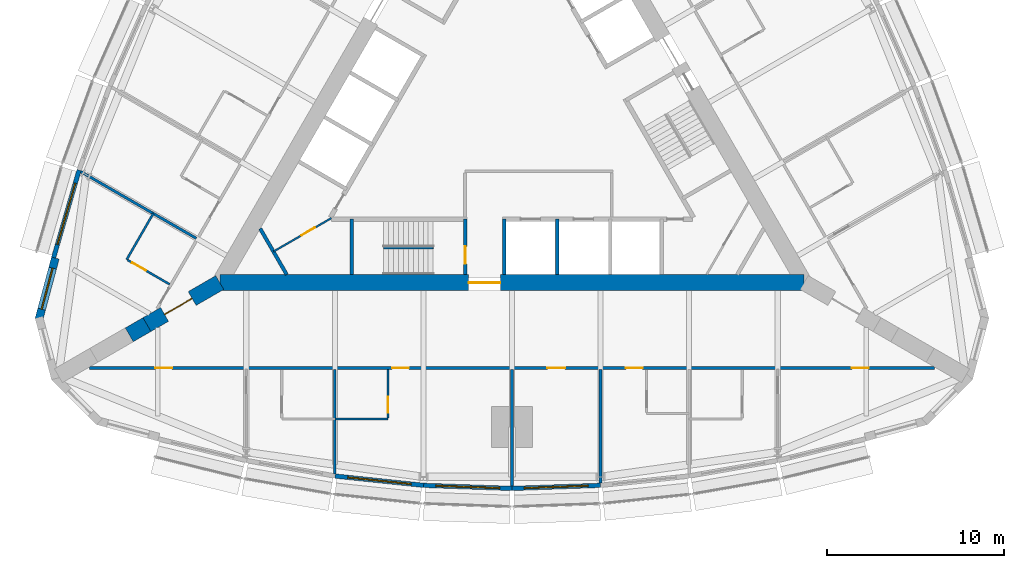
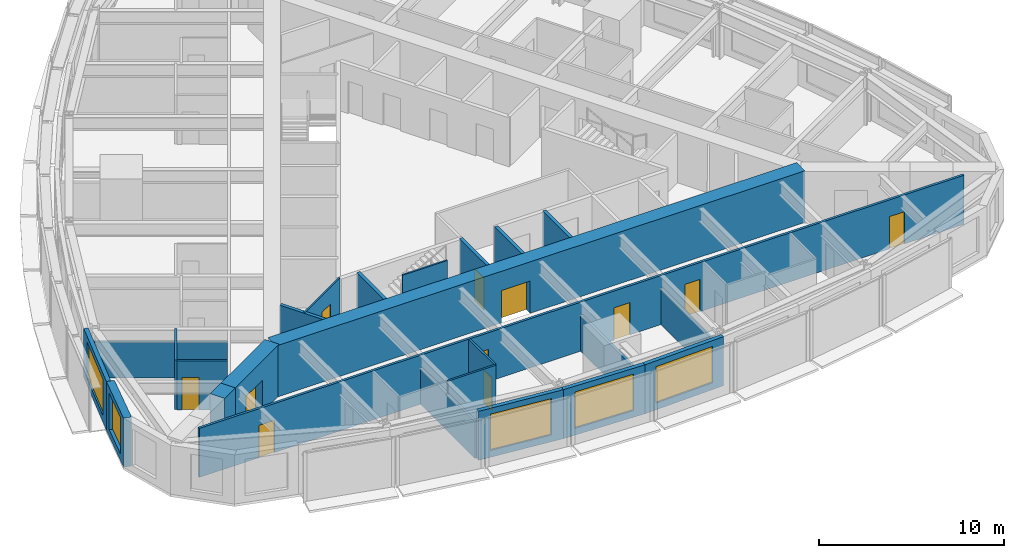
# One storey, part 8 of 14: 24 walls, 11 doors, 5 windows, 16 openings.
"""IFC4 building model written with IfcOpenShell, lengths in metres."""

from ifc_helpers import new_model, si_unit, direction, frame, frame_2d, origin, place, context, subcontext, project, spatial, rectangle, extrude, material, layer, layer_set, type_object, element, fill, save


model = new_model("IFC4")

# Units and contexts
model_context = context("Model", 3, precision=1e-05, world=origin(), true_north=direction((0.0, 1.0)))
body_context = subcontext(model_context, "Body", "Model", "MODEL_VIEW")
ifc_project = project(units=[si_unit("LENGTHUNIT", "METRE"), si_unit("AREAUNIT", "SQUARE_METRE"), si_unit("VOLUMEUNIT", "CUBIC_METRE"), si_unit("PLANEANGLEUNIT", "RADIAN"), si_unit("MASSUNIT", "GRAM", prefix="KILO")], contexts=[model_context])

# Site, building, storey
site_placement = place(None, origin())
site = spatial("IfcSite", under=ifc_project, at=site_placement, CompositionType="ELEMENT")
building_placement = place(site_placement, origin())
building = spatial("IfcBuilding", under=site, at=building_placement, Name="Trikona Tower", CompositionType="ELEMENT")
storey_placement = place(building_placement, frame((0.0, 0.0, 162.300048828125)))
storey = spatial("IfcBuildingStorey", under=building, at=storey_placement, Name="L43", CompositionType="ELEMENT", Elevation=162.300048828125)

# Wall
ifc_material_1 = material(Name="Metal stud and cement board", Category="gypsum")
ifc_layer_1 = layer(ifc_material_1, 0.1201171875)
ifc_layer_set_1 = layer_set([ifc_layer_1], Name="Bathroom wall 120")
wall_type_1 = type_object("IfcWallType", Name="Bathroom wall 120", PredefinedType="PLUMBINGWALL", material=ifc_layer_set_1)
wall_1_placement = place(storey_placement, frame((-10.0, -17.226318359375, 0.0), z_axis=(0.0, 0.0, 1.0), x_axis=(1.0, 0.0, 0.0)))
element("IfcWall", 1, at=wall_1_placement, inside=storey, type_object=wall_type_1, Name="Bathroom wall 4302", PredefinedType="PLUMBINGWALL", context=body_context, shape_type="SweptSolid", body=[
    extrude(rectangle(XDim=3.0, YDim=0.1201171875, at=frame_2d((1.5, 0.0))), origin(), (0.0, 0.0, 1.0), 3.23486328125),
])

# Wall, opening, door
wall_2_placement = place(storey_placement, frame((-7.0, -14.42626953125, 0.0), z_axis=(0.0, 0.0, 1.0), x_axis=(0.0, -1.0, 0.0)))
wall_2 = element("IfcWall", 2, at=wall_2_placement, inside=storey, type_object=wall_type_1, Name="Bathroom wall 4302", PredefinedType="PLUMBINGWALL", context=body_context, shape_type="SweptSolid", body=[
    extrude(rectangle(XDim=2.739990234375, YDim=0.1201171875, at=frame_2d((1.3701171875, 0.0))), origin(), (0.0, 0.0, 1.0), 3.23486328125),
])
opening_1_placement = place(wall_2_placement, frame((1.550048828125, 0.0, 0.0)))
opening_1 = element("IfcOpeningElement", 3, at=opening_1_placement, cuts=wall_2, Name="Opening D2", PredefinedType="OPENING", context=body_context, shape_type="SweptSolid", body=[
    extrude(rectangle(XDim=0.89990234375, YDim=2.1298828125, at=frame_2d((0.449951171875, 1.06494140625))), frame((0.0, 0.070068359375, 0.0), z_axis=(0.0, -1.0, 0.0), x_axis=(1.0, 0.0, 0.0)), (0.0, 0.0, 1.0), 0.14013671875),
])
ifc_material_2 = material(Name="Steel door frame with solid-core timber leaf", Category="steel")
door_type_1 = type_object("IfcDoorType", Name="Bathroom door 900x2130", OperationType="SLIDING_TO_LEFT", PredefinedType="DOOR", material=ifc_material_2)
door_1_placement = place(opening_1_placement, origin())
door_1 = element("IfcDoor", 4, at=door_1_placement, inside=storey, type_object=door_type_1, Name="Bathroom door 4302", OperationType="SLIDING_TO_LEFT", OverallHeight=2.1298828125, OverallWidth=0.89990234375, PredefinedType="DOOR", context=body_context, shape_type="SweptSolid", body=[
    extrude(rectangle(XDim=0.89990234375, YDim=2.1298828125, at=frame_2d((0.449951171875, 1.06494140625))), frame((0.0, 0.02490234375, 0.0), z_axis=(0.0, -1.0, 0.0), x_axis=(1.0, 0.0, 0.0)), (0.0, 0.0, 1.0), 0.050048828125),
])
fill(opening_1, door_1)

# Wall
wall_3_placement = place(storey_placement, frame((-20.25341796875, -5.627197265625, 0.0), z_axis=(0.0, 0.0, 1.0), x_axis=(-0.499990139034, -0.866031096941, 0.0)))
element("IfcWall", 5, at=wall_3_placement, inside=storey, type_object=wall_type_1, Name="Bathroom wall 4315", PredefinedType="PLUMBINGWALL", context=body_context, shape_type="SweptSolid", body=[
    extrude(rectangle(XDim=3.0, YDim=0.1201171875, at=frame_2d((1.5, 0.0))), origin(), (0.0, 0.0, 1.0), 3.23486328125),
])

# Wall, opening, door
wall_4_placement = place(storey_placement, frame((-19.32861328125, -9.625244140625, 0.0), z_axis=(0.0, 0.0, 1.0), x_axis=(-0.866035715982, 0.499982138324, 0.0)))
wall_4 = element("IfcWall", 6, at=wall_4_placement, inside=storey, type_object=wall_type_1, Name="Bathroom wall 4315", PredefinedType="PLUMBINGWALL", context=body_context, shape_type="SweptSolid", body=[
    extrude(rectangle(XDim=2.73974609375, YDim=0.1201171875, at=frame_2d((1.369873046875, 0.0))), origin(), (0.0, 0.0, 1.0), 3.23486328125),
])
opening_2_placement = place(wall_4_placement, frame((1.550048828125, 0.0, 0.0)))
opening_2 = element("IfcOpeningElement", 7, at=opening_2_placement, cuts=wall_4, Name="Opening D2", PredefinedType="OPENING", context=body_context, shape_type="SweptSolid", body=[
    extrude(rectangle(XDim=0.89990234375, YDim=2.1298828125, at=frame_2d((0.449951171875, 1.06494140625))), frame((0.0, 0.070068359375, 0.0), z_axis=(0.0, -1.0, 0.0), x_axis=(1.0, 0.0, 0.0)), (0.0, 0.0, 1.0), 0.14013671875),
])
door_2_placement = place(opening_2_placement, origin())
door_2 = element("IfcDoor", 8, at=door_2_placement, inside=storey, type_object=door_type_1, Name="Bathroom door 4315", OperationType="SLIDING_TO_LEFT", OverallHeight=2.1298828125, OverallWidth=0.89990234375, PredefinedType="DOOR", context=body_context, shape_type="SweptSolid", body=[
    extrude(rectangle(XDim=0.89990234375, YDim=2.1298828125, at=frame_2d((0.449951171875, 1.06494140625))), frame((0.0, 0.02490234375, 0.0), z_axis=(0.0, -1.0, 0.0), x_axis=(1.0, 0.0, 0.0)), (0.0, 0.0, 1.0), 0.050048828125),
])
fill(opening_2, door_2)

# Wall, opening, window
ifc_material_3 = material(Name="Brick-faced precast concrete", Category="masonry")
ifc_layer_2 = layer(ifc_material_3, 0.449951171875)
ifc_layer_set_2 = layer_set([ifc_layer_2], Name="Brick-faced corner wall 450")
wall_type_2 = type_object("IfcWallType", Name="Brick-faced corner wall 450", PredefinedType="SOLIDWALL", material=ifc_layer_set_2)
wall_5_placement = place(storey_placement, frame((-25.78271484375, -8.14111328125, 0.0), z_axis=(0.0, 0.0, 1.0), x_axis=(-0.258823421857, -0.965924653531, 0.0)))
wall_5 = element("IfcWall", 9, at=wall_5_placement, inside=storey, type_object=wall_type_2, Name="External wall L43-32", PredefinedType="SOLIDWALL", context=body_context, shape_type="SweptSolid", body=[
    extrude(rectangle(XDim=3.58642578125, YDim=0.449951171875, at=frame_2d((1.793212890625, 0.0))), origin(), (0.0, 0.0, 1.0), 3.23486328125),
])
opening_3_placement = place(wall_5_placement, frame((0.593017578125, 0.0, 0.449951171875)))
opening_3 = element("IfcOpeningElement", 10, at=opening_3_placement, cuts=wall_5, Name="Opening W2424", PredefinedType="OPENING", context=body_context, shape_type="SweptSolid", body=[
    extrude(rectangle(XDim=2.39990234375, YDim=2.39990234375, at=frame_2d((1.199951171875, 1.199951171875))), frame((0.0, 0.23486328125, 0.0), z_axis=(0.0, -1.0, 0.0), x_axis=(1.0, 0.0, 0.0)), (0.0, 0.0, 1.0), 0.469970703125),
])
ifc_material_4 = material(Name="Aluminium-framed double glazing", Category="aluminium")
window_type_1 = type_object("IfcWindowType", Name="Window 2400x2400", PartitioningType="SINGLE_PANEL", PredefinedType="WINDOW", material=ifc_material_4)
window_1_placement = place(opening_3_placement, origin())
window_1 = element("IfcWindow", 11, at=window_1_placement, inside=storey, type_object=window_type_1, Name="Window 4315", OverallHeight=2.39990234375, OverallWidth=2.39990234375, PartitioningType="SINGLE_PANEL", PredefinedType="WINDOW", context=body_context, shape_type="SweptSolid", body=[
    extrude(rectangle(XDim=2.39990234375, YDim=2.39990234375, at=frame_2d((1.199951171875, 1.199951171875))), frame((0.0, 0.030029296875, 0.0), z_axis=(0.0, -1.0, 0.0), x_axis=(1.0, 0.0, 0.0)), (0.0, 0.0, 1.0), 0.06005859375),
])
fill(opening_3, window_1)

# Wall, opening, door
ifc_material_5 = material(Name="Concrete f'c 10000 psi", Category="concrete")
ifc_layer_3 = layer(ifc_material_5, 0.89990234375)
ifc_layer_set_3 = layer_set([ifc_layer_3], Name="Buttress wall 900")
wall_type_3 = type_object("IfcWallType", Name="Buttress wall 900", PredefinedType="SHEAR", material=ifc_layer_set_3)
wall_6_placement = place(storey_placement, frame((-16.5, -9.5263671875, 0.0), z_axis=(0.0, 0.0, 1.0), x_axis=(-0.866031398331, -0.499989616998, 0.0)))
wall_6 = element("IfcWall", 12, at=wall_6_placement, inside=storey, type_object=wall_type_3, Name="Buttress wall 3", PredefinedType="SHEAR", context=body_context, shape_type="SweptSolid", body=[
    extrude(rectangle(XDim=4.74609375, YDim=0.89990234375, at=frame_2d((2.373046875, 0.0))), origin(), (0.0, 0.0, 1.0), 3.39990234375),
])
opening_4_placement = place(wall_6_placement, frame((1.800048828125, 0.0, 0.0)))
opening_4 = element("IfcOpeningElement", 13, at=opening_4_placement, cuts=wall_6, Name="Opening D10", PredefinedType="OPENING", context=body_context, shape_type="SweptSolid", body=[
    extrude(rectangle(XDim=1.800048828125, YDim=2.1298828125, at=frame_2d((0.89990234375, 1.06494140625))), frame((0.0, 0.4599609375, 0.0), z_axis=(0.0, -1.0, 0.0), x_axis=(1.0, 0.0, 0.0)), (0.0, 0.0, 1.0), 0.919921875),
])
ifc_material_6 = material(Name="Hollow metal door and frame", Category="steel")
door_type_2 = type_object("IfcDoorType", Name="Cross-corridor door pair 1800x2130", OperationType="DOUBLE_DOOR_DOUBLE_SWING", PredefinedType="DOOR", material=ifc_material_6)
door_3_placement = place(opening_4_placement, origin())
door_3 = element("IfcDoor", 14, at=door_3_placement, inside=storey, type_object=door_type_2, Name="Cross-corridor door 3", OperationType="DOUBLE_DOOR_DOUBLE_SWING", OverallHeight=2.1298828125, OverallWidth=1.800048828125, PredefinedType="DOOR", context=body_context, shape_type="SweptSolid", body=[
    extrude(rectangle(XDim=1.800048828125, YDim=2.1298828125, at=frame_2d((0.89990234375, 1.06494140625))), frame((0.0, 0.02490234375, 0.0), z_axis=(0.0, -1.0, 0.0), x_axis=(1.0, 0.0, 0.0)), (0.0, 0.0, 1.0), 0.050048828125),
])
fill(opening_4, door_3)

# Wall
wall_7_placement = place(storey_placement, frame((-20.6103515625, -11.8994140625, 0.0), z_axis=(0.0, 0.0, 1.0), x_axis=(-0.866009537788, -0.500027479704, 0.0)))
element("IfcWall", 15, at=wall_7_placement, inside=storey, type_object=wall_type_3, Name="Buttress wall 3 part 2", PredefinedType="SHEAR", context=body_context, shape_type="SweptSolid", body=[
    extrude(rectangle(XDim=1.15478515625, YDim=0.89990234375, at=frame_2d((0.577392578125, 0.0))), origin(), (0.0, 0.0, 1.0), 3.39990234375),
])

# Wall, opening, door
ifc_material_7 = material(Name="Concrete f'c 10000 psi", Category="concrete")
ifc_layer_4 = layer(ifc_material_7, 0.89990234375)
ifc_layer_set_4 = layer_set([ifc_layer_4], Name="Core wall 900")
wall_type_4 = type_object("IfcWallType", Name="Core wall 900", PredefinedType="SHEAR", material=ifc_layer_set_4)
wall_8_placement = place(storey_placement, frame((-16.5, -9.5263671875, 0.0), z_axis=(0.0, 0.0, 1.0), x_axis=(1.0, 0.0, 0.0)))
wall_8 = element("IfcWall", 16, at=wall_8_placement, inside=storey, type_object=wall_type_4, Name="Core wall A", PredefinedType="SHEAR", context=body_context, shape_type="SweptSolid", body=[
    extrude(rectangle(XDim=33.0, YDim=0.89990234375, at=frame_2d((16.5, 0.0))), origin(), (0.0, 0.0, 1.0), 3.39990234375),
])
opening_5_placement = place(wall_8_placement, frame((14.050048828125, 0.0, 0.0)))
opening_5 = element("IfcOpeningElement", 17, at=opening_5_placement, cuts=wall_8, Name="Opening D6", PredefinedType="OPENING", context=body_context, shape_type="SweptSolid", body=[
    extrude(rectangle(XDim=1.800048828125, YDim=2.1298828125, at=frame_2d((0.89990234375, 1.06494140625))), frame((0.0, 0.4599609375, 0.0), z_axis=(0.0, -1.0, 0.0), x_axis=(1.0, 0.0, 0.0)), (0.0, 0.0, 1.0), 0.919921875),
])
ifc_material_8 = material(Name="Hollow metal door and frame", Category="steel")
door_type_3 = type_object("IfcDoorType", Name="Lobby door pair 1800x2130", OperationType="DOUBLE_DOOR_SINGLE_SWING", PredefinedType="DOOR", material=ifc_material_8)
door_4_placement = place(opening_5_placement, origin())
door_4 = element("IfcDoor", 18, at=door_4_placement, inside=storey, type_object=door_type_3, Name="Fire service lift lobby door", OperationType="DOUBLE_DOOR_SINGLE_SWING", OverallHeight=2.1298828125, OverallWidth=1.800048828125, PredefinedType="DOOR", context=body_context, shape_type="SweptSolid", body=[
    extrude(rectangle(XDim=1.800048828125, YDim=2.1298828125, at=frame_2d((0.89990234375, 1.06494140625))), frame((0.0, 0.02490234375, 0.0), z_axis=(0.0, -1.0, 0.0), x_axis=(1.0, 0.0, 0.0)), (0.0, 0.0, 1.0), 0.050048828125),
])
fill(opening_5, door_4)

# Wall, openings, doors
ifc_material_9 = material(Name="Metal stud and gypsum board, 1-hour", Category="gypsum")
ifc_layer_5 = layer(ifc_material_9, 0.14990234375)
ifc_layer_set_5 = layer_set([ifc_layer_5], Name="Corridor wall 150")
wall_type_5 = type_object("IfcWallType", Name="Corridor wall 150", PredefinedType="PARTITIONING", material=ifc_layer_set_5)
wall_9_placement = place(storey_placement, frame((-23.857177734375, -14.351318359375, 0.0), z_axis=(0.0, 0.0, 1.0), x_axis=(1.0, 0.0, 0.0)))
wall_9 = element("IfcWall", 19, at=wall_9_placement, inside=storey, type_object=wall_type_5, Name="Corridor wall L43-1", PredefinedType="PARTITIONING", context=body_context, shape_type="SweptSolid", body=[
    extrude(rectangle(XDim=47.71435546875, YDim=0.14990234375, at=frame_2d((23.857177734375, 0.0))), origin(), (0.0, 0.0, 1.0), 3.23486328125),
])
opening_6_placement = place(wall_9_placement, frame((3.723388671875, 0.0, 0.0)))
opening_6 = element("IfcOpeningElement", 20, at=opening_6_placement, cuts=wall_9, Name="Opening D1", PredefinedType="OPENING", context=body_context, shape_type="SweptSolid", body=[
    extrude(rectangle(XDim=0.949951171875, YDim=2.1298828125, at=frame_2d((0.47509765625, 1.06494140625))), frame((0.0, 0.0849609375, 0.0), z_axis=(0.0, -1.0, 0.0), x_axis=(1.0, 0.0, 0.0)), (0.0, 0.0, 1.0), 0.169921875),
])
opening_7_placement = place(wall_9_placement, frame((17.08203125, 0.0, 0.0)))
opening_7 = element("IfcOpeningElement", 21, at=opening_7_placement, cuts=wall_9, Name="Opening D1", PredefinedType="OPENING", context=body_context, shape_type="SweptSolid", body=[
    extrude(rectangle(XDim=0.949951171875, YDim=2.1298828125, at=frame_2d((0.47509765625, 1.06494140625))), frame((0.0, 0.0849609375, 0.0), z_axis=(0.0, -1.0, 0.0), x_axis=(1.0, 0.0, 0.0)), (0.0, 0.0, 1.0), 0.169921875),
])
opening_8_placement = place(wall_9_placement, frame((25.857177734375, 0.0, 0.0)))
opening_8 = element("IfcOpeningElement", 22, at=opening_8_placement, cuts=wall_9, Name="Opening D3", PredefinedType="OPENING", context=body_context, shape_type="SweptSolid", body=[
    extrude(rectangle(XDim=1.0, YDim=2.1298828125, at=frame_2d((0.5, 1.06494140625))), frame((0.0, 0.0849609375, 0.0), z_axis=(0.0, -1.0, 0.0), x_axis=(1.0, 0.0, 0.0)), (0.0, 0.0, 1.0), 0.169921875),
])
opening_9_placement = place(wall_9_placement, frame((30.281982421875, 0.0, 0.0)))
opening_9 = element("IfcOpeningElement", 23, at=opening_9_placement, cuts=wall_9, Name="Opening D1", PredefinedType="OPENING", context=body_context, shape_type="SweptSolid", body=[
    extrude(rectangle(XDim=0.949951171875, YDim=2.1298828125, at=frame_2d((0.47509765625, 1.06494140625))), frame((0.0, 0.0849609375, 0.0), z_axis=(0.0, -1.0, 0.0), x_axis=(1.0, 0.0, 0.0)), (0.0, 0.0, 1.0), 0.169921875),
])
opening_10_placement = place(wall_9_placement, frame((43.041015625, 0.0, 0.0)))
opening_10 = element("IfcOpeningElement", 24, at=opening_10_placement, cuts=wall_9, Name="Opening D1", PredefinedType="OPENING", context=body_context, shape_type="SweptSolid", body=[
    extrude(rectangle(XDim=0.949951171875, YDim=2.1298828125, at=frame_2d((0.47509765625, 1.06494140625))), frame((0.0, 0.0849609375, 0.0), z_axis=(0.0, -1.0, 0.0), x_axis=(1.0, 0.0, 0.0)), (0.0, 0.0, 1.0), 0.169921875),
])
ifc_material_10 = material(Name="Steel door frame with solid-core timber leaf", Category="steel")
door_type_4 = type_object("IfcDoorType", Name="Guest room door 950x2130", OperationType="SINGLE_SWING_LEFT", PredefinedType="DOOR", material=ifc_material_10)
door_5_placement = place(opening_6_placement, origin())
door_5 = element("IfcDoor", 25, at=door_5_placement, inside=storey, type_object=door_type_4, Name="Room door 4301", OperationType="SINGLE_SWING_LEFT", OverallHeight=2.1298828125, OverallWidth=0.949951171875, PredefinedType="DOOR", context=body_context, shape_type="SweptSolid", body=[
    extrude(rectangle(XDim=0.949951171875, YDim=2.1298828125, at=frame_2d((0.47509765625, 1.06494140625))), frame((0.0, 0.02490234375, 0.0), z_axis=(0.0, -1.0, 0.0), x_axis=(1.0, 0.0, 0.0)), (0.0, 0.0, 1.0), 0.050048828125),
])
fill(opening_6, door_5)
door_6_placement = place(opening_7_placement, origin())
door_6 = element("IfcDoor", 26, at=door_6_placement, inside=storey, type_object=door_type_4, Name="Room door 4302", OperationType="SINGLE_SWING_RIGHT", OverallHeight=2.1298828125, OverallWidth=0.949951171875, PredefinedType="DOOR", context=body_context, shape_type="SweptSolid", body=[
    extrude(rectangle(XDim=0.949951171875, YDim=2.1298828125, at=frame_2d((0.47509765625, 1.06494140625))), frame((0.0, 0.02490234375, 0.0), z_axis=(0.0, -1.0, 0.0), x_axis=(1.0, 0.0, 0.0)), (0.0, 0.0, 1.0), 0.050048828125),
])
fill(opening_7, door_6)
door_7_placement = place(opening_9_placement, origin())
door_7 = element("IfcDoor", 27, at=door_7_placement, inside=storey, type_object=door_type_4, Name="Room door 4303", OperationType="SINGLE_SWING_RIGHT", OverallHeight=2.1298828125, OverallWidth=0.949951171875, PredefinedType="DOOR", context=body_context, shape_type="SweptSolid", body=[
    extrude(rectangle(XDim=0.949951171875, YDim=2.1298828125, at=frame_2d((0.47509765625, 1.06494140625))), frame((0.0, 0.02490234375, 0.0), z_axis=(0.0, -1.0, 0.0), x_axis=(1.0, 0.0, 0.0)), (0.0, 0.0, 1.0), 0.050048828125),
])
fill(opening_9, door_7)
door_8_placement = place(opening_10_placement, origin())
door_8 = element("IfcDoor", 28, at=door_8_placement, inside=storey, type_object=door_type_4, Name="Room door 4304", OperationType="SINGLE_SWING_RIGHT", OverallHeight=2.1298828125, OverallWidth=0.949951171875, PredefinedType="DOOR", context=body_context, shape_type="SweptSolid", body=[
    extrude(rectangle(XDim=0.949951171875, YDim=2.1298828125, at=frame_2d((0.47509765625, 1.06494140625))), frame((0.0, 0.02490234375, 0.0), z_axis=(0.0, -1.0, 0.0), x_axis=(1.0, 0.0, 0.0)), (0.0, 0.0, 1.0), 0.050048828125),
])
fill(opening_10, door_8)
ifc_material_11 = material(Name="Steel door frame with solid-core timber leaf", Category="steel")
door_type_5 = type_object("IfcDoorType", Name="Room door 1000x2130", OperationType="SINGLE_SWING_LEFT", PredefinedType="DOOR", material=ifc_material_11)
door_9_placement = place(opening_8_placement, origin())
door_9 = element("IfcDoor", 29, at=door_9_placement, inside=storey, type_object=door_type_5, Name="Door Housekeeping pantry", OperationType="SINGLE_SWING_LEFT", OverallHeight=2.1298828125, OverallWidth=1.0, PredefinedType="DOOR", context=body_context, shape_type="SweptSolid", body=[
    extrude(rectangle(XDim=1.0, YDim=2.1298828125, at=frame_2d((0.5, 1.06494140625))), frame((0.0, 0.02490234375, 0.0), z_axis=(0.0, -1.0, 0.0), x_axis=(1.0, 0.0, 0.0)), (0.0, 0.0, 1.0), 0.050048828125),
])
fill(opening_8, door_9)

# Wall, opening, window
ifc_material_12 = material(Name="Insulated precast concrete spandrel panel", Category="concrete")
ifc_layer_6 = layer(ifc_material_12, 0.25)
ifc_layer_set_6 = layer_set([ifc_layer_6], Name="Inner skin wall 250")
wall_type_6 = type_object("IfcWallType", Name="Inner skin wall 250", PredefinedType="STANDARD", material=ifc_layer_set_6)
wall_10_placement = place(storey_placement, frame((-9.98681640625, -20.450927734375, 0.0), z_axis=(0.0, 0.0, 1.0), x_axis=(0.994534683851, -0.104406717299, 0.0)))
wall_10 = element("IfcWall", 30, at=wall_10_placement, inside=storey, type_object=wall_type_6, Name="External wall L43-02", PredefinedType="STANDARD", context=body_context, shape_type="SweptSolid", body=[
    extrude(rectangle(XDim=5.027587890625, YDim=0.25, at=frame_2d((2.513671875, 0.0))), origin(), (0.0, 0.0, 1.0), 3.23486328125),
])
opening_11_placement = place(wall_10_placement, frame((0.713623046875, 0.0, 0.449951171875)))
opening_11 = element("IfcOpeningElement", 31, at=opening_11_placement, cuts=wall_10, Name="Opening W3624", PredefinedType="OPENING", context=body_context, shape_type="SweptSolid", body=[
    extrude(rectangle(XDim=3.60009765625, YDim=2.39990234375, at=frame_2d((1.800048828125, 1.199951171875))), frame((0.0, 0.135009765625, 0.0), z_axis=(0.0, -1.0, 0.0), x_axis=(1.0, 0.0, 0.0)), (0.0, 0.0, 1.0), 0.27001953125),
])
ifc_material_13 = material(Name="Aluminium-framed double glazing", Category="aluminium")
window_type_2 = type_object("IfcWindowType", Name="Window 3600x2400", PartitioningType="SINGLE_PANEL", PredefinedType="WINDOW", material=ifc_material_13)
window_2_placement = place(opening_11_placement, origin())
window_2 = element("IfcWindow", 32, at=window_2_placement, inside=storey, type_object=window_type_2, Name="Window 4302", OverallHeight=2.39990234375, OverallWidth=3.60009765625, PartitioningType="SINGLE_PANEL", PredefinedType="WINDOW", context=body_context, shape_type="SweptSolid", body=[
    extrude(rectangle(XDim=3.60009765625, YDim=2.39990234375, at=frame_2d((1.800048828125, 1.199951171875))), frame((0.0, 0.030029296875, 0.0), z_axis=(0.0, -1.0, 0.0), x_axis=(1.0, 0.0, 0.0)), (0.0, 0.0, 1.0), 0.06005859375),
])
fill(opening_11, window_2)

wall_11_placement = place(storey_placement, frame((-4.99560546875, -20.975341796875, 0.0), z_axis=(0.0, 0.0, 1.0), x_axis=(0.999387720943, -0.034988329879, 0.0)))
wall_11 = element("IfcWall", 33, at=wall_11_placement, inside=storey, type_object=wall_type_6, Name="External wall L43-03", PredefinedType="STANDARD", context=body_context, shape_type="SweptSolid", body=[
    extrude(rectangle(XDim=5.003173828125, YDim=0.25, at=frame_2d((2.50146484375, 0.0))), origin(), (0.0, 0.0, 1.0), 3.23486328125),
])
opening_12_placement = place(wall_11_placement, frame((0.701416015625, 0.0, 0.449951171875)))
opening_12 = element("IfcOpeningElement", 34, at=opening_12_placement, cuts=wall_11, Name="Opening W3624", PredefinedType="OPENING", context=body_context, shape_type="SweptSolid", body=[
    extrude(rectangle(XDim=3.60009765625, YDim=2.39990234375, at=frame_2d((1.800048828125, 1.199951171875))), frame((0.0, 0.135009765625, 0.0), z_axis=(0.0, -1.0, 0.0), x_axis=(1.0, 0.0, 0.0)), (0.0, 0.0, 1.0), 0.27001953125),
])
window_3_placement = place(opening_12_placement, origin())
window_3 = element("IfcWindow", 35, at=window_3_placement, inside=storey, type_object=window_type_2, Name="Window 4302", OverallHeight=2.39990234375, OverallWidth=3.60009765625, PartitioningType="SINGLE_PANEL", PredefinedType="WINDOW", context=body_context, shape_type="SweptSolid", body=[
    extrude(rectangle(XDim=3.60009765625, YDim=2.39990234375, at=frame_2d((1.800048828125, 1.199951171875))), frame((0.0, 0.030029296875, 0.0), z_axis=(0.0, -1.0, 0.0), x_axis=(1.0, 0.0, 0.0)), (0.0, 0.0, 1.0), 0.06005859375),
])
fill(opening_12, window_3)

wall_12_placement = place(storey_placement, frame((-0.00439453125, -21.150390625, 0.0), z_axis=(0.0, 0.0, 1.0), x_axis=(0.999387720943, 0.034988329879, 0.0)))
wall_12 = element("IfcWall", 36, at=wall_12_placement, inside=storey, type_object=wall_type_6, Name="External wall L43-04", PredefinedType="STANDARD", context=body_context, shape_type="SweptSolid", body=[
    extrude(rectangle(XDim=5.003173828125, YDim=0.25, at=frame_2d((2.50146484375, 0.0))), origin(), (0.0, 0.0, 1.0), 3.23486328125),
])
opening_13_placement = place(wall_12_placement, frame((0.701416015625, 0.0, 0.449951171875)))
opening_13 = element("IfcOpeningElement", 37, at=opening_13_placement, cuts=wall_12, Name="Opening W3624", PredefinedType="OPENING", context=body_context, shape_type="SweptSolid", body=[
    extrude(rectangle(XDim=3.60009765625, YDim=2.39990234375, at=frame_2d((1.800048828125, 1.199951171875))), frame((0.0, 0.135009765625, 0.0), z_axis=(0.0, -1.0, 0.0), x_axis=(1.0, 0.0, 0.0)), (0.0, 0.0, 1.0), 0.27001953125),
])
window_4_placement = place(opening_13_placement, origin())
window_4 = element("IfcWindow", 38, at=window_4_placement, inside=storey, type_object=window_type_2, Name="Window L43-HKP", OverallHeight=2.39990234375, OverallWidth=3.60009765625, PartitioningType="SINGLE_PANEL", PredefinedType="WINDOW", context=body_context, shape_type="SweptSolid", body=[
    extrude(rectangle(XDim=3.60009765625, YDim=2.39990234375, at=frame_2d((1.800048828125, 1.199951171875))), frame((0.0, 0.030029296875, 0.0), z_axis=(0.0, -1.0, 0.0), x_axis=(1.0, 0.0, 0.0)), (0.0, 0.0, 1.0), 0.06005859375),
])
fill(opening_13, window_4)

wall_13_placement = place(storey_placement, frame((-24.44091796875, -3.17529296875, 0.0), z_axis=(0.0, 0.0, 1.0), x_axis=(-0.279528287117, -0.960137457191, 0.0)))
wall_13 = element("IfcWall", 39, at=wall_13_placement, inside=storey, type_object=wall_type_6, Name="External wall L43-31", PredefinedType="STANDARD", context=body_context, shape_type="SweptSolid", body=[
    extrude(rectangle(XDim=5.14794921875, YDim=0.25, at=frame_2d((2.573974609375, 0.0))), origin(), (0.0, 0.0, 1.0), 3.23486328125),
])
opening_14_placement = place(wall_13_placement, frame((0.77392578125, 0.0, 0.449951171875)))
opening_14 = element("IfcOpeningElement", 40, at=opening_14_placement, cuts=wall_13, Name="Opening W3624", PredefinedType="OPENING", context=body_context, shape_type="SweptSolid", body=[
    extrude(rectangle(XDim=3.60009765625, YDim=2.39990234375, at=frame_2d((1.800048828125, 1.199951171875))), frame((0.0, 0.135009765625, 0.0), z_axis=(0.0, -1.0, 0.0), x_axis=(1.0, 0.0, 0.0)), (0.0, 0.0, 1.0), 0.27001953125),
])
window_5_placement = place(opening_14_placement, origin())
window_5 = element("IfcWindow", 41, at=window_5_placement, inside=storey, type_object=window_type_2, Name="Window 4315", OverallHeight=2.39990234375, OverallWidth=3.60009765625, PartitioningType="SINGLE_PANEL", PredefinedType="WINDOW", context=body_context, shape_type="SweptSolid", body=[
    extrude(rectangle(XDim=3.60009765625, YDim=2.39990234375, at=frame_2d((1.800048828125, 1.199951171875))), frame((0.0, 0.030029296875, 0.0), z_axis=(0.0, -1.0, 0.0), x_axis=(1.0, 0.0, 0.0)), (0.0, 0.0, 1.0), 0.06005859375),
])
fill(opening_14, window_5)

# Walls
ifc_material_14 = material(Name="Metal stud and gypsum board, 1-hour acoustic", Category="gypsum")
ifc_layer_7 = layer(ifc_material_14, 0.14990234375)
ifc_layer_set_7 = layer_set([ifc_layer_7], Name="Party wall 150")
wall_type_7 = type_object("IfcWallType", Name="Party wall 150", PredefinedType="PARTITIONING", material=ifc_layer_set_7)
wall_14_placement = place(storey_placement, frame((-10.0, -14.42626953125, 0.0), z_axis=(0.0, 0.0, 1.0), x_axis=(0.0, -1.0, 0.0)))
element("IfcWall", 42, at=wall_14_placement, inside=storey, type_object=wall_type_7, Name="Partition L43 F1 u-10", PredefinedType="PARTITIONING", context=body_context, shape_type="SweptSolid", body=[
    extrude(rectangle(XDim=5.89501953125, YDim=0.14990234375, at=frame_2d((2.947509765625, 0.0))), origin(), (0.0, 0.0, 1.0), 2.38916015625),
])
wall_15_placement = place(storey_placement, frame((0.0, -14.42626953125, 0.0), z_axis=(0.0, 0.0, 1.0), x_axis=(0.0, -1.0, 0.0)))
element("IfcWall", 43, at=wall_15_placement, inside=storey, type_object=wall_type_7, Name="Partition L43 F1 u-9.86076e-31", PredefinedType="PARTITIONING", context=body_context, shape_type="SweptSolid", body=[
    extrude(rectangle(XDim=6.5986328125, YDim=0.14990234375, at=frame_2d((3.29931640625, 0.0))), origin(), (0.0, 0.0, 1.0), 2.38916015625),
])
wall_16_placement = place(storey_placement, frame((5.0, -14.42626953125, 0.0), z_axis=(0.0, 0.0, 1.0), x_axis=(0.0, -1.0, 0.0)))
element("IfcWall", 44, at=wall_16_placement, inside=storey, type_object=wall_type_7, Name="Partition L43 F1 u5", PredefinedType="PARTITIONING", context=body_context, shape_type="SweptSolid", body=[
    extrude(rectangle(XDim=6.422607421875, YDim=0.14990234375, at=frame_2d((3.21142578125, 0.0))), origin(), (0.0, 0.0, 1.0), 2.38916015625),
])
wall_17_placement = place(storey_placement, frame((-17.82861328125, -7.027099609375, 0.0), z_axis=(0.0, 0.0, 1.0), x_axis=(-0.866029804378, 0.499992377871, 0.0)))
element("IfcWall", 45, at=wall_17_placement, inside=storey, type_object=wall_type_7, Name="Partition L43 F3 u15", PredefinedType="PARTITIONING", context=body_context, shape_type="SweptSolid", body=[
    extrude(rectangle(XDim=7.51611328125, YDim=0.14990234375, at=frame_2d((3.758056640625, 0.0))), origin(), (0.0, 0.0, 1.0), 2.38916015625),
])
ifc_material_15 = material(Name="Concrete f'c 8000 psi", Category="concrete")
ifc_layer_8 = layer(ifc_material_15, 0.199951171875)
ifc_layer_set_8 = layer_set([ifc_layer_8], Name="Shaft wall 200")
wall_type_8 = type_object("IfcWallType", Name="Shaft wall 200", PredefinedType="SOLIDWALL", material=ifc_layer_set_8)
for number, where, z_axis, x_axis, name in (
    (46, (-0.449951171875, -5.951416015625, 0.0), (0.0, 0.0, 1.0), (0.0, -1.0, 0.0), "Shaft wall A3"),
    (47, (2.550048828125, -5.951416015625, 0.0), (0.0, 0.0, 1.0), (0.0, -1.0, 0.0), "Shaft wall A4"),
):
    element("IfcWall", number, at=place(storey_placement, frame(where, z_axis=z_axis, x_axis=x_axis)), inside=storey, type_object=wall_type_8, Name=name, PredefinedType="SOLIDWALL", context=body_context, shape_type="SweptSolid", body=[
        extrude(rectangle(XDim=3.125, YDim=0.199951171875, at=frame_2d((1.5625, 0.0))), origin(), (0.0, 0.0, 1.0), 3.23486328125),
    ])
wall_18_placement = place(storey_placement, frame((-12.718505859375, -9.076416015625, 0.0), z_axis=(0.0, 0.0, 1.0), x_axis=(-0.499952404951, 0.866052881055, 0.0)))
element("IfcWall", 48, at=wall_18_placement, inside=storey, type_object=wall_type_8, Name="Riser wall L43-RS3", PredefinedType="SOLIDWALL", context=body_context, shape_type="SweptSolid", body=[
    extrude(rectangle(XDim=3.002197265625, YDim=0.199951171875, at=frame_2d((1.5009765625, 0.0))), origin(), (0.0, 0.0, 1.0), 3.23486328125),
])
ifc_material_16 = material(Name="Concrete f'c 8000 psi", Category="concrete")
ifc_layer_9 = layer(ifc_material_16, 0.199951171875)
ifc_layer_set_9 = layer_set([ifc_layer_9], Name="Shaft wall 200 load-bearing")
wall_type_9 = type_object("IfcWallType", Name="Shaft wall 200 load-bearing", PredefinedType="SOLIDWALL", material=ifc_layer_set_9)
wall_19_placement = place(storey_placement, frame((-9.050048828125, -5.951416015625, 0.0), z_axis=(0.0, 0.0, 1.0), x_axis=(0.0, -1.0, 0.0)))
element("IfcWall", 49, at=wall_19_placement, inside=storey, type_object=wall_type_9, Name="Shaft wall A1", PredefinedType="SOLIDWALL", context=body_context, shape_type="SweptSolid", body=[
    extrude(rectangle(XDim=3.125, YDim=0.199951171875, at=frame_2d((1.5625, 0.0))), origin(), (0.0, 0.0, 1.0), 3.23486328125),
])

# Wall, opening, door
wall_20_placement = place(storey_placement, frame((-2.64990234375, -5.951416015625, 0.0), z_axis=(0.0, 0.0, 1.0), x_axis=(0.0, -1.0, 0.0)))
wall_20 = element("IfcWall", 50, at=wall_20_placement, inside=storey, type_object=wall_type_9, Name="Shaft wall A2", PredefinedType="SOLIDWALL", context=body_context, shape_type="SweptSolid", body=[
    extrude(rectangle(XDim=3.125, YDim=0.199951171875, at=frame_2d((1.5625, 0.0))), origin(), (0.0, 0.0, 1.0), 3.23486328125),
])
opening_15_placement = place(wall_20_placement, frame((1.52490234375, 0.0, 0.0)))
opening_15 = element("IfcOpeningElement", 51, at=opening_15_placement, cuts=wall_20, Name="Opening D5", PredefinedType="OPENING", context=body_context, shape_type="SweptSolid", body=[
    extrude(rectangle(XDim=1.0, YDim=2.1298828125, at=frame_2d((0.5, 1.06494140625))), frame((0.0, 0.10986328125, 0.0), z_axis=(0.0, -1.0, 0.0), x_axis=(1.0, 0.0, 0.0)), (0.0, 0.0, 1.0), 0.219970703125),
])
ifc_material_17 = material(Name="Hollow metal door and frame", Category="steel")
door_type_6 = type_object("IfcDoorType", Name="Stair door 1000x2130", OperationType="SINGLE_SWING_LEFT", PredefinedType="DOOR", material=ifc_material_17)
door_10_placement = place(opening_15_placement, origin())
door_10 = element("IfcDoor", 52, at=door_10_placement, inside=storey, type_object=door_type_6, Name="Stair A door", OperationType="SINGLE_SWING_RIGHT", OverallHeight=2.1298828125, OverallWidth=1.0, PredefinedType="DOOR", context=body_context, shape_type="SweptSolid", body=[
    extrude(rectangle(XDim=1.0, YDim=2.1298828125, at=frame_2d((0.5, 1.06494140625))), frame((0.0, 0.02490234375, 0.0), z_axis=(0.0, -1.0, 0.0), x_axis=(1.0, 0.0, 0.0)), (0.0, 0.0, 1.0), 0.050048828125),
])
fill(opening_15, door_10)

# Wall
ifc_material_18 = material(Name="Concrete f'c 5000 psi", Category="concrete")
ifc_layer_10 = layer(ifc_material_18, 0.10009765625)
ifc_layer_set_10 = layer_set([ifc_layer_10], Name="Stair spine wall 100")
wall_type_10 = type_object("IfcWallType", Name="Stair spine wall 100", PredefinedType="SOLIDWALL", material=ifc_layer_set_10)
wall_21_placement = place(storey_placement, frame((-7.2470703125, -7.576416015625, 0.0), z_axis=(0.0, 0.0, 1.0), x_axis=(1.0, 0.0, 0.0)))
element("IfcWall", 53, at=wall_21_placement, inside=storey, type_object=wall_type_10, Name="Stair A spine wall L43", PredefinedType="SOLIDWALL", context=body_context, shape_type="SweptSolid", body=[
    extrude(rectangle(XDim=2.794189453125, YDim=0.10009765625, at=frame_2d((1.39697265625, 0.0))), origin(), (0.0, 0.0, 1.0), 3.39990234375),
])

# Wall, opening, door
ifc_material_19 = material(Name="Metal stud and gypsum board, acoustic", Category="gypsum")
ifc_layer_11 = layer(ifc_material_19, 0.10009765625)
ifc_layer_set_11 = layer_set([ifc_layer_11], Name="Suite partition 100")
wall_type_11 = type_object("IfcWallType", Name="Suite partition 100", PredefinedType="PARTITIONING", material=ifc_layer_set_11)
wall_22_placement = place(storey_placement, frame((-13.468994140625, -7.7763671875, 0.0), z_axis=(0.0, 0.0, 1.0), x_axis=(0.866021898093, 0.500006071987, 0.0)))
wall_22 = element("IfcWall", 54, at=wall_22_placement, inside=storey, type_object=wall_type_11, Name="Store partition L43-RS3", PredefinedType="PARTITIONING", context=body_context, shape_type="SweptSolid", body=[
    extrude(rectangle(XDim=3.775390625, YDim=0.10009765625, at=frame_2d((1.8876953125, 0.0))), origin(), (0.0, 0.0, 1.0), 3.23486328125),
])
opening_16_placement = place(wall_22_placement, frame((1.815185546875, 0.0, 0.0)))
opening_16 = element("IfcOpeningElement", 55, at=opening_16_placement, cuts=wall_22, Name="Opening D15", PredefinedType="OPENING", context=body_context, shape_type="SweptSolid", body=[
    extrude(rectangle(XDim=0.89990234375, YDim=2.1298828125, at=frame_2d((0.449951171875, 1.06494140625))), frame((0.0, 0.06005859375, 0.0), z_axis=(0.0, -1.0, 0.0), x_axis=(1.0, 0.0, 0.0)), (0.0, 0.0, 1.0), 0.1201171875),
])
ifc_material_20 = material(Name="Steel door frame with solid-core timber leaf", Category="steel")
door_type_7 = type_object("IfcDoorType", Name="Store door 900x2130", OperationType="SINGLE_SWING_LEFT", PredefinedType="DOOR", material=ifc_material_20)
door_11_placement = place(opening_16_placement, origin())
door_11 = element("IfcDoor", 56, at=door_11_placement, inside=storey, type_object=door_type_7, Name="Door Luggage store LUG", OperationType="SINGLE_SWING_RIGHT", OverallHeight=2.1298828125, OverallWidth=0.89990234375, PredefinedType="DOOR", context=body_context, shape_type="SweptSolid", body=[
    extrude(rectangle(XDim=0.89990234375, YDim=2.1298828125, at=frame_2d((0.449951171875, 1.06494140625))), frame((0.0, 0.02490234375, 0.0), z_axis=(0.0, -1.0, 0.0), x_axis=(1.0, 0.0, 0.0)), (0.0, 0.0, 1.0), 0.050048828125),
])
fill(opening_16, door_11)

save(model, "model.ifc")
